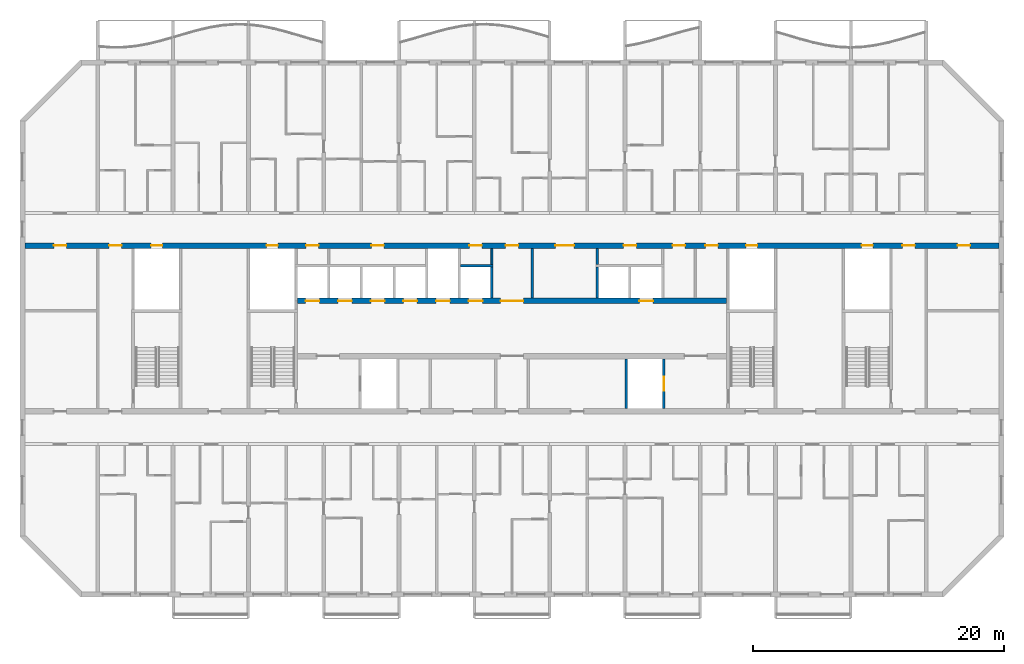
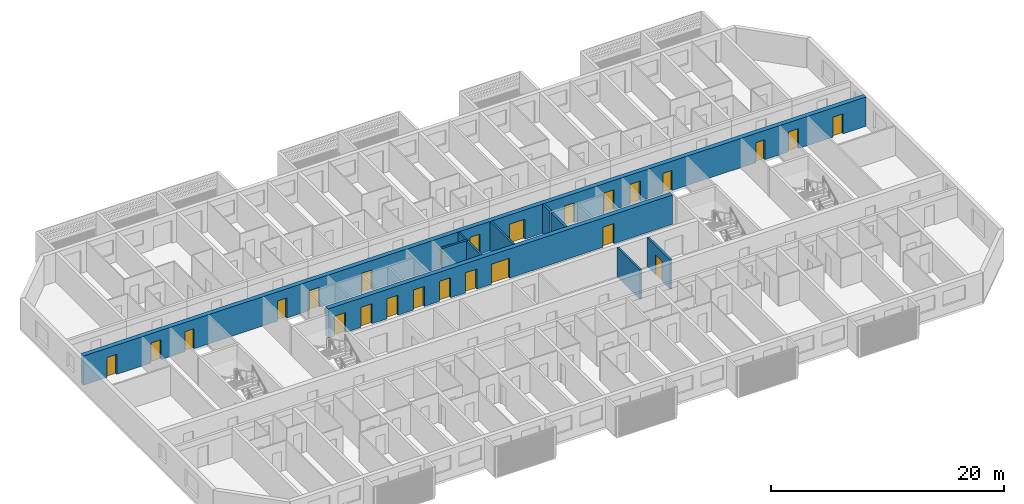
# One storey, part 7 of 32: 25 doors, 10 walls, 25 openings.
"""IFC4 building model written with IfcOpenShell, lengths in metres."""

from ifc_helpers import new_model, si_unit, direction, frame, frame_2d, origin, place, context, subcontext, project, spatial, rectangle, extrude, material, layer, layer_set, type_object, element, fill, save


model = new_model("IFC4")

# Units and contexts
model_context = context("Model", 3, precision=1e-05, world=origin(), true_north=direction((0.0, 1.0)))
body_context = subcontext(model_context, "Body", "Model", "MODEL_VIEW")
ifc_project = project(units=[si_unit("LENGTHUNIT", "METRE"), si_unit("AREAUNIT", "SQUARE_METRE"), si_unit("VOLUMEUNIT", "CUBIC_METRE"), si_unit("PLANEANGLEUNIT", "RADIAN"), si_unit("MASSUNIT", "GRAM", prefix="KILO")], contexts=[model_context])

# Site, building, storey
site_placement = place(None, origin())
site = spatial("IfcSite", under=ifc_project, at=site_placement, CompositionType="ELEMENT")
building_placement = place(site_placement, origin())
building = spatial("IfcBuilding", under=site, at=building_placement, Name="Poui Terraces", CompositionType="ELEMENT")
storey_placement = place(building_placement, frame((0.0, 0.0, 152.10009765625)))
storey = spatial("IfcBuildingStorey", under=building, at=storey_placement, Name="L42", CompositionType="ELEMENT", Elevation=152.10009765625)

# Wall, openings, doors
ifc_material_1 = material(Name="Concrete 65 MPa", Category="concrete")
ifc_layer_1 = layer(ifc_material_1, 0.449951171875)
ifc_layer_set_1 = layer_set([ifc_layer_1], Name="Concrete 65 MPa")
wall_type_1 = type_object("IfcWallType", Name="CORE WALL 450 65 MPA", PredefinedType="SOLIDWALL", material=ifc_layer_set_1)
wall_1_placement = place(storey_placement, frame((33.925048828125, 23.39990234375, 0.0), z_axis=(0.0, 0.0, 1.0), x_axis=(1.0, 0.0, 0.0)))
wall_1 = element("IfcWall", 1, at=wall_1_placement, inside=storey, type_object=wall_type_1, Name="CORE WALL", PredefinedType="SOLIDWALL", context=body_context, shape_type="SweptSolid", body=[
    extrude(rectangle(XDim=34.14990234375, YDim=0.449951171875, at=frame_2d((17.074951171875, 0.0))), origin(), (0.0, 0.0, 1.0), 3.06982421875),
])
opening_1_placement = place(wall_1_placement, frame((16.175048828125, 0.0, 0.0)))
opening_1 = element("IfcOpeningElement", 2, at=opening_1_placement, cuts=wall_1, Name="Opening FDD60", PredefinedType="OPENING", context=body_context, shape_type="SweptSolid", body=[
    extrude(rectangle(XDim=1.800048828125, YDim=2.10009765625, at=frame_2d((0.89990234375, 1.050048828125))), frame((0.0, 0.23486328125, 0.0), z_axis=(0.0, -1.0, 0.0), x_axis=(1.0, 0.0, 0.0)), (0.0, 0.0, 1.0), 0.469970703125),
])
opening_2_placement = place(wall_1_placement, frame((0.625, 0.0, 0.0)))
opening_2 = element("IfcOpeningElement", 3, at=opening_2_placement, cuts=wall_1, Name="Opening LD", PredefinedType="OPENING", context=body_context, shape_type="SweptSolid", body=[
    extrude(rectangle(XDim=1.10009765625, YDim=2.10009765625, at=frame_2d((0.550048828125, 1.050048828125))), frame((0.0, 0.23486328125, 0.0), z_axis=(0.0, -1.0, 0.0), x_axis=(1.0, 0.0, 0.0)), (0.0, 0.0, 1.0), 0.469970703125),
])
opening_3_placement = place(wall_1_placement, frame((3.22509765625, 0.0, 0.0)))
opening_3 = element("IfcOpeningElement", 4, at=opening_3_placement, cuts=wall_1, Name="Opening LD", PredefinedType="OPENING", context=body_context, shape_type="SweptSolid", body=[
    extrude(rectangle(XDim=1.10009765625, YDim=2.10009765625, at=frame_2d((0.550048828125, 1.050048828125))), frame((0.0, 0.23486328125, 0.0), z_axis=(0.0, -1.0, 0.0), x_axis=(1.0, 0.0, 0.0)), (0.0, 0.0, 1.0), 0.469970703125),
])
opening_4_placement = place(wall_1_placement, frame((5.824951171875, 0.0, 0.0)))
opening_4 = element("IfcOpeningElement", 5, at=opening_4_placement, cuts=wall_1, Name="Opening LD", PredefinedType="OPENING", context=body_context, shape_type="SweptSolid", body=[
    extrude(rectangle(XDim=1.10009765625, YDim=2.10009765625, at=frame_2d((0.550048828125, 1.050048828125))), frame((0.0, 0.23486328125, 0.0), z_axis=(0.0, -1.0, 0.0), x_axis=(1.0, 0.0, 0.0)), (0.0, 0.0, 1.0), 0.469970703125),
])
opening_5_placement = place(wall_1_placement, frame((8.425048828125, 0.0, 0.0)))
opening_5 = element("IfcOpeningElement", 6, at=opening_5_placement, cuts=wall_1, Name="Opening LD", PredefinedType="OPENING", context=body_context, shape_type="SweptSolid", body=[
    extrude(rectangle(XDim=1.10009765625, YDim=2.10009765625, at=frame_2d((0.550048828125, 1.050048828125))), frame((0.0, 0.23486328125, 0.0), z_axis=(0.0, -1.0, 0.0), x_axis=(1.0, 0.0, 0.0)), (0.0, 0.0, 1.0), 0.469970703125),
])
opening_6_placement = place(wall_1_placement, frame((11.02490234375, 0.0, 0.0)))
opening_6 = element("IfcOpeningElement", 7, at=opening_6_placement, cuts=wall_1, Name="Opening LD", PredefinedType="OPENING", context=body_context, shape_type="SweptSolid", body=[
    extrude(rectangle(XDim=1.10009765625, YDim=2.10009765625, at=frame_2d((0.550048828125, 1.050048828125))), frame((0.0, 0.23486328125, 0.0), z_axis=(0.0, -1.0, 0.0), x_axis=(1.0, 0.0, 0.0)), (0.0, 0.0, 1.0), 0.469970703125),
])
opening_7_placement = place(wall_1_placement, frame((13.625, 0.0, 0.0)))
opening_7 = element("IfcOpeningElement", 8, at=opening_7_placement, cuts=wall_1, Name="Opening LD", PredefinedType="OPENING", context=body_context, shape_type="SweptSolid", body=[
    extrude(rectangle(XDim=1.10009765625, YDim=2.10009765625, at=frame_2d((0.550048828125, 1.050048828125))), frame((0.0, 0.23486328125, 0.0), z_axis=(0.0, -1.0, 0.0), x_axis=(1.0, 0.0, 0.0)), (0.0, 0.0, 1.0), 0.469970703125),
])
opening_8_placement = place(wall_1_placement, frame((27.22509765625, 0.0, 0.0)))
opening_8 = element("IfcOpeningElement", 9, at=opening_8_placement, cuts=wall_1, Name="Opening LD", PredefinedType="OPENING", context=body_context, shape_type="SweptSolid", body=[
    extrude(rectangle(XDim=1.10009765625, YDim=2.10009765625, at=frame_2d((0.550048828125, 1.050048828125))), frame((0.0, 0.23486328125, 0.0), z_axis=(0.0, -1.0, 0.0), x_axis=(1.0, 0.0, 0.0)), (0.0, 0.0, 1.0), 0.469970703125),
])
ifc_material_2 = material(Name="Steel fire door", Category="steel")
door_type_1 = type_object("IfcDoorType", Name="DOUBLE LOBBY FIRE DOOR 1800 X 2100", OperationType="DOUBLE_DOOR_SINGLE_SWING", PredefinedType="DOOR", material=ifc_material_2)
door_1_placement = place(opening_1_placement, origin())
door_1 = element("IfcDoor", 10, at=door_1_placement, inside=storey, type_object=door_type_1, Name="DOUBLE LOBBY FIRE DOOR 123", OperationType="DOUBLE_DOOR_SINGLE_SWING", OverallHeight=2.10009765625, OverallWidth=1.800048828125, PredefinedType="DOOR", context=body_context, shape_type="SweptSolid", body=[
    extrude(rectangle(XDim=1.800048828125, YDim=2.10009765625, at=frame_2d((0.89990234375, 1.050048828125))), frame((0.0, 0.02490234375, 0.0), z_axis=(0.0, -1.0, 0.0), x_axis=(1.0, 0.0, 0.0)), (0.0, 0.0, 1.0), 0.050048828125),
])
fill(opening_1, door_1)
ifc_material_3 = material(Name="Stainless steel sliding door", Category="steel")
door_type_2 = type_object("IfcDoorType", Name="LIFT LANDING DOOR 1100 X 2100", OperationType="DOUBLE_DOOR_SLIDING", PredefinedType="DOOR", material=ifc_material_3)
door_2_placement = place(opening_2_placement, origin())
door_2 = element("IfcDoor", 11, at=door_2_placement, inside=storey, type_object=door_type_2, Name="LANDING DOOR", OperationType="DOUBLE_DOOR_SLIDING", OverallHeight=2.10009765625, OverallWidth=1.10009765625, PredefinedType="DOOR", context=body_context, shape_type="SweptSolid", body=[
    extrude(rectangle(XDim=1.10009765625, YDim=2.10009765625, at=frame_2d((0.550048828125, 1.050048828125))), frame((0.0, 0.02490234375, 0.0), z_axis=(0.0, -1.0, 0.0), x_axis=(1.0, 0.0, 0.0)), (0.0, 0.0, 1.0), 0.050048828125),
])
fill(opening_2, door_2)
door_3_placement = place(opening_3_placement, origin())
door_3 = element("IfcDoor", 12, at=door_3_placement, inside=storey, type_object=door_type_2, Name="LANDING DOOR", OperationType="DOUBLE_DOOR_SLIDING", OverallHeight=2.10009765625, OverallWidth=1.10009765625, PredefinedType="DOOR", context=body_context, shape_type="SweptSolid", body=[
    extrude(rectangle(XDim=1.10009765625, YDim=2.10009765625, at=frame_2d((0.550048828125, 1.050048828125))), frame((0.0, 0.02490234375, 0.0), z_axis=(0.0, -1.0, 0.0), x_axis=(1.0, 0.0, 0.0)), (0.0, 0.0, 1.0), 0.050048828125),
])
fill(opening_3, door_3)
door_4_placement = place(opening_4_placement, origin())
door_4 = element("IfcDoor", 13, at=door_4_placement, inside=storey, type_object=door_type_2, Name="LANDING DOOR", OperationType="DOUBLE_DOOR_SLIDING", OverallHeight=2.10009765625, OverallWidth=1.10009765625, PredefinedType="DOOR", context=body_context, shape_type="SweptSolid", body=[
    extrude(rectangle(XDim=1.10009765625, YDim=2.10009765625, at=frame_2d((0.550048828125, 1.050048828125))), frame((0.0, 0.02490234375, 0.0), z_axis=(0.0, -1.0, 0.0), x_axis=(1.0, 0.0, 0.0)), (0.0, 0.0, 1.0), 0.050048828125),
])
fill(opening_4, door_4)
door_5_placement = place(opening_5_placement, origin())
door_5 = element("IfcDoor", 14, at=door_5_placement, inside=storey, type_object=door_type_2, Name="LANDING DOOR", OperationType="DOUBLE_DOOR_SLIDING", OverallHeight=2.10009765625, OverallWidth=1.10009765625, PredefinedType="DOOR", context=body_context, shape_type="SweptSolid", body=[
    extrude(rectangle(XDim=1.10009765625, YDim=2.10009765625, at=frame_2d((0.550048828125, 1.050048828125))), frame((0.0, 0.02490234375, 0.0), z_axis=(0.0, -1.0, 0.0), x_axis=(1.0, 0.0, 0.0)), (0.0, 0.0, 1.0), 0.050048828125),
])
fill(opening_5, door_5)
door_6_placement = place(opening_6_placement, origin())
door_6 = element("IfcDoor", 15, at=door_6_placement, inside=storey, type_object=door_type_2, Name="LANDING DOOR", OperationType="DOUBLE_DOOR_SLIDING", OverallHeight=2.10009765625, OverallWidth=1.10009765625, PredefinedType="DOOR", context=body_context, shape_type="SweptSolid", body=[
    extrude(rectangle(XDim=1.10009765625, YDim=2.10009765625, at=frame_2d((0.550048828125, 1.050048828125))), frame((0.0, 0.02490234375, 0.0), z_axis=(0.0, -1.0, 0.0), x_axis=(1.0, 0.0, 0.0)), (0.0, 0.0, 1.0), 0.050048828125),
])
fill(opening_6, door_6)
door_7_placement = place(opening_7_placement, origin())
door_7 = element("IfcDoor", 16, at=door_7_placement, inside=storey, type_object=door_type_2, Name="LANDING DOOR", OperationType="DOUBLE_DOOR_SLIDING", OverallHeight=2.10009765625, OverallWidth=1.10009765625, PredefinedType="DOOR", context=body_context, shape_type="SweptSolid", body=[
    extrude(rectangle(XDim=1.10009765625, YDim=2.10009765625, at=frame_2d((0.550048828125, 1.050048828125))), frame((0.0, 0.02490234375, 0.0), z_axis=(0.0, -1.0, 0.0), x_axis=(1.0, 0.0, 0.0)), (0.0, 0.0, 1.0), 0.050048828125),
])
fill(opening_7, door_7)
door_8_placement = place(opening_8_placement, origin())
door_8 = element("IfcDoor", 17, at=door_8_placement, inside=storey, type_object=door_type_2, Name="LANDING DOOR", OperationType="DOUBLE_DOOR_SLIDING", OverallHeight=2.10009765625, OverallWidth=1.10009765625, PredefinedType="DOOR", context=body_context, shape_type="SweptSolid", body=[
    extrude(rectangle(XDim=1.10009765625, YDim=2.10009765625, at=frame_2d((0.550048828125, 1.050048828125))), frame((0.0, 0.02490234375, 0.0), z_axis=(0.0, -1.0, 0.0), x_axis=(1.0, 0.0, 0.0)), (0.0, 0.0, 1.0), 0.050048828125),
])
fill(opening_8, door_8)

# Walls
ifc_material_4 = material(Name="Fire-rated plasterboard wall")
ifc_layer_2 = layer(ifc_material_4, 0.14990234375)
ifc_layer_set_2 = layer_set([ifc_layer_2], Name="Fire-rated plasterboard wall")
wall_type_2 = type_object("IfcWallType", Name="CORRIDOR WALL 150", PredefinedType="PARTITIONING", material=ifc_layer_set_2)
wall_2_placement = place(storey_placement, frame((49.39990234375, 26.300048828125, 0.0), z_axis=(0.0, 0.0, 1.0), x_axis=(0.0, 1.0, 0.0)))
element("IfcWall", 18, at=wall_2_placement, inside=storey, type_object=wall_type_2, Name="CORRIDOR WALL 150", PredefinedType="PARTITIONING", context=body_context, shape_type="SweptSolid", body=[
    extrude(rectangle(XDim=1.264892578125, YDim=0.14990234375, at=frame_2d((0.63232421875, 0.0))), origin(), (0.0, 0.0, 1.0), 3.06982421875),
])
ifc_material_5 = material(Name="Fire-rated masonry wall", Category="masonry")
ifc_layer_3 = layer(ifc_material_5, 0.199951171875)
ifc_layer_set_3 = layer_set([ifc_layer_3], Name="Fire-rated masonry wall")
wall_type_3 = type_object("IfcWallType", Name="PLANT ROOM WALL 200", PredefinedType="PARTITIONING", material=ifc_layer_set_3)
wall_3_placement = place(storey_placement, frame((52.60009765625, 23.635009765625, 0.0), z_axis=(0.0, 0.0, 1.0), x_axis=(0.0, 1.0, 0.0)))
element("IfcWall", 19, at=wall_3_placement, inside=storey, type_object=wall_type_3, Name="PLANT ROOM WALL 200", PredefinedType="PARTITIONING", context=body_context, shape_type="SweptSolid", body=[
    extrude(rectangle(XDim=3.929931640625, YDim=0.199951171875, at=frame_2d((1.96484375, 0.0))), origin(), (0.0, 0.0, 1.0), 3.06982421875),
])
wall_4_placement = place(storey_placement, frame((57.800048828125, 26.300048828125, 0.0), z_axis=(0.0, 0.0, 1.0), x_axis=(0.0, 1.0, 0.0)))
element("IfcWall", 20, at=wall_4_placement, inside=storey, type_object=wall_type_3, Name="PLANT ROOM WALL 200", PredefinedType="PARTITIONING", context=body_context, shape_type="SweptSolid", body=[
    extrude(rectangle(XDim=1.264892578125, YDim=0.199951171875, at=frame_2d((0.63232421875, 0.0))), origin(), (0.0, 0.0, 1.0), 3.06982421875),
])
ifc_material_6 = material(Name="Fire-rated masonry shaft wall", Category="masonry")
ifc_layer_4 = layer(ifc_material_6, 0.199951171875)
ifc_layer_set_4 = layer_set([ifc_layer_4], Name="Fire-rated masonry shaft wall")
wall_type_4 = type_object("IfcWallType", Name="SHAFT WALL 200", PredefinedType="PARTITIONING", material=ifc_layer_set_4)
wall_5_placement = place(storey_placement, frame((46.89990234375, 26.199951171875, 0.0), z_axis=(0.0, 0.0, 1.0), x_axis=(1.0, 0.0, 0.0)))
element("IfcWall", 21, at=wall_5_placement, inside=storey, type_object=wall_type_4, Name="SHAFT WALL 200", PredefinedType="PARTITIONING", context=body_context, shape_type="SweptSolid", body=[
    extrude(rectangle(XDim=2.60009765625, YDim=0.199951171875, at=frame_2d((1.300048828125, 0.0))), origin(), (0.0, 0.0, 1.0), 3.06982421875),
])
for number, where, z_axis, x_axis, name in (
    (22, (49.39990234375, 23.635009765625, 0.0), (0.0, 0.0, 1.0), (0.0, 1.0, 0.0), "SHAFT WALL 200"),
    (23, (57.800048828125, 23.635009765625, 0.0), (0.0, 0.0, 1.0), (0.0, 1.0, 0.0), "SHAFT WALL 200"),
):
    element("IfcWall", number, at=place(storey_placement, frame(where, z_axis=z_axis, x_axis=x_axis)), inside=storey, type_object=wall_type_4, Name=name, PredefinedType="PARTITIONING", context=body_context, shape_type="SweptSolid", body=[
        extrude(rectangle(XDim=2.465087890625, YDim=0.199951171875, at=frame_2d((1.232421875, 0.0))), origin(), (0.0, 0.0, 1.0), 3.06982421875),
    ])
wall_6_placement = place(storey_placement, frame((60.10009765625, 14.8349609375, 0.0), z_axis=(0.0, 0.0, 1.0), x_axis=(0.0, 1.0, 0.0)))
element("IfcWall", 24, at=wall_6_placement, inside=storey, type_object=wall_type_4, Name="SHAFT WALL 200", PredefinedType="PARTITIONING", context=body_context, shape_type="SweptSolid", body=[
    extrude(rectangle(XDim=3.929931640625, YDim=0.199951171875, at=frame_2d((1.96484375, 0.0))), origin(), (0.0, 0.0, 1.0), 3.06982421875),
])

# Wall, opening, door
wall_7_placement = place(storey_placement, frame((63.10009765625, 14.8349609375, 0.0), z_axis=(0.0, 0.0, 1.0), x_axis=(0.0, 1.0, 0.0)))
wall_7 = element("IfcWall", 25, at=wall_7_placement, inside=storey, type_object=wall_type_4, Name="SHAFT WALL 200", PredefinedType="PARTITIONING", context=body_context, shape_type="SweptSolid", body=[
    extrude(rectangle(XDim=3.929931640625, YDim=0.199951171875, at=frame_2d((1.96484375, 0.0))), origin(), (0.0, 0.0, 1.0), 3.06982421875),
])
opening_9_placement = place(wall_7_placement, frame((1.4150390625, 0.0, 0.0)))
opening_9 = element("IfcOpeningElement", 26, at=opening_9_placement, cuts=wall_7, Name="Opening LD", PredefinedType="OPENING", context=body_context, shape_type="SweptSolid", body=[
    extrude(rectangle(XDim=1.10009765625, YDim=2.10009765625, at=frame_2d((0.550048828125, 1.050048828125))), frame((0.0, 0.10986328125, 0.0), z_axis=(0.0, -1.0, 0.0), x_axis=(1.0, 0.0, 0.0)), (0.0, 0.0, 1.0), 0.219970703125),
])
door_9_placement = place(opening_9_placement, origin())
door_9 = element("IfcDoor", 27, at=door_9_placement, inside=storey, type_object=door_type_2, Name="LANDING DOOR", OperationType="DOUBLE_DOOR_SLIDING", OverallHeight=2.10009765625, OverallWidth=1.10009765625, PredefinedType="DOOR", context=body_context, shape_type="SweptSolid", body=[
    extrude(rectangle(XDim=1.10009765625, YDim=2.10009765625, at=frame_2d((0.550048828125, 1.050048828125))), frame((0.0, 0.02490234375, 0.0), z_axis=(0.0, -1.0, 0.0), x_axis=(1.0, 0.0, 0.0)), (0.0, 0.0, 1.0), 0.050048828125),
])
fill(opening_9, door_9)

# Wall, openings, doors
ifc_layer_5 = layer(ifc_material_1, 0.449951171875)
ifc_layer_set_5 = layer_set([ifc_layer_5], Name="Concrete 65 MPa")
wall_type_5 = type_object("IfcWallType", Name="SPINE WALL 450 65 MPA", PredefinedType="SOLIDWALL", material=ifc_layer_set_5)
wall_8_placement = place(storey_placement, frame((12.199951171875, 27.800048828125, 0.0), z_axis=(0.0, 0.0, 1.0), x_axis=(1.0, 0.0, 0.0)))
wall_8 = element("IfcWall", 28, at=wall_8_placement, inside=storey, type_object=wall_type_5, Name="SPINE WALL", PredefinedType="SOLIDWALL", context=body_context, shape_type="SweptSolid", body=[
    extrude(rectangle(XDim=77.60009765625, YDim=0.449951171875, at=frame_2d((38.800048828125, 0.0))), origin(), (0.0, 0.0, 1.0), 3.06982421875),
])
opening_10_placement = place(wall_8_placement, frame((2.300048828125, 0.0, 0.0)))
opening_10 = element("IfcOpeningElement", 29, at=opening_10_placement, cuts=wall_8, Name="Opening FD60", PredefinedType="OPENING", context=body_context, shape_type="SweptSolid", body=[
    extrude(rectangle(XDim=1.0, YDim=2.10009765625, at=frame_2d((0.5, 1.050048828125))), frame((0.0, 0.23486328125, 0.0), z_axis=(0.0, -1.0, 0.0), x_axis=(1.0, 0.0, 0.0)), (0.0, 0.0, 1.0), 0.469970703125),
])
opening_11_placement = place(wall_8_placement, frame((6.699951171875, 0.0, 0.0)))
opening_11 = element("IfcOpeningElement", 30, at=opening_11_placement, cuts=wall_8, Name="Opening FDL", PredefinedType="OPENING", context=body_context, shape_type="SweptSolid", body=[
    extrude(rectangle(XDim=1.0, YDim=2.10009765625, at=frame_2d((0.5, 1.050048828125))), frame((0.0, 0.23486328125, 0.0), z_axis=(0.0, -1.0, 0.0), x_axis=(1.0, 0.0, 0.0)), (0.0, 0.0, 1.0), 0.469970703125),
])
opening_12_placement = place(wall_8_placement, frame((10.050048828125, 0.0, 0.0)))
opening_12 = element("IfcOpeningElement", 31, at=opening_12_placement, cuts=wall_8, Name="Opening FDR", PredefinedType="OPENING", context=body_context, shape_type="SweptSolid", body=[
    extrude(rectangle(XDim=0.89990234375, YDim=2.10009765625, at=frame_2d((0.449951171875, 1.050048828125))), frame((0.0, 0.23486328125, 0.0), z_axis=(0.0, -1.0, 0.0), x_axis=(1.0, 0.0, 0.0)), (0.0, 0.0, 1.0), 0.469970703125),
])
opening_13_placement = place(wall_8_placement, frame((19.25, 0.0, 0.0)))
opening_13 = element("IfcOpeningElement", 32, at=opening_13_placement, cuts=wall_8, Name="Opening FDR", PredefinedType="OPENING", context=body_context, shape_type="SweptSolid", body=[
    extrude(rectangle(XDim=0.89990234375, YDim=2.10009765625, at=frame_2d((0.449951171875, 1.050048828125))), frame((0.0, 0.23486328125, 0.0), z_axis=(0.0, -1.0, 0.0), x_axis=(1.0, 0.0, 0.0)), (0.0, 0.0, 1.0), 0.469970703125),
])
opening_14_placement = place(wall_8_placement, frame((22.39990234375, 0.0, 0.0)))
opening_14 = element("IfcOpeningElement", 33, at=opening_14_placement, cuts=wall_8, Name="Opening FD60", PredefinedType="OPENING", context=body_context, shape_type="SweptSolid", body=[
    extrude(rectangle(XDim=1.0, YDim=2.10009765625, at=frame_2d((0.5, 1.050048828125))), frame((0.0, 0.23486328125, 0.0), z_axis=(0.0, -1.0, 0.0), x_axis=(1.0, 0.0, 0.0)), (0.0, 0.0, 1.0), 0.469970703125),
])
opening_15_placement = place(wall_8_placement, frame((27.60009765625, 0.0, 0.0)))
opening_15 = element("IfcOpeningElement", 34, at=opening_15_placement, cuts=wall_8, Name="Opening FD60", PredefinedType="OPENING", context=body_context, shape_type="SweptSolid", body=[
    extrude(rectangle(XDim=1.0, YDim=2.10009765625, at=frame_2d((0.5, 1.050048828125))), frame((0.0, 0.23486328125, 0.0), z_axis=(0.0, -1.0, 0.0), x_axis=(1.0, 0.0, 0.0)), (0.0, 0.0, 1.0), 0.469970703125),
])
opening_16_placement = place(wall_8_placement, frame((35.39990234375, 0.0, 0.0)))
opening_16 = element("IfcOpeningElement", 35, at=opening_16_placement, cuts=wall_8, Name="Opening FD60", PredefinedType="OPENING", context=body_context, shape_type="SweptSolid", body=[
    extrude(rectangle(XDim=1.0, YDim=2.10009765625, at=frame_2d((0.5, 1.050048828125))), frame((0.0, 0.23486328125, 0.0), z_axis=(0.0, -1.0, 0.0), x_axis=(1.0, 0.0, 0.0)), (0.0, 0.0, 1.0), 0.469970703125),
])
opening_17_placement = place(wall_8_placement, frame((38.300048828125, 0.0, 0.0)))
opening_17 = element("IfcOpeningElement", 36, at=opening_17_placement, cuts=wall_8, Name="Opening FDL", PredefinedType="OPENING", context=body_context, shape_type="SweptSolid", body=[
    extrude(rectangle(XDim=1.0, YDim=2.10009765625, at=frame_2d((0.5, 1.050048828125))), frame((0.0, 0.23486328125, 0.0), z_axis=(0.0, -1.0, 0.0), x_axis=(1.0, 0.0, 0.0)), (0.0, 0.0, 1.0), 0.469970703125),
])
opening_18_placement = place(wall_8_placement, frame((42.25, 0.0, 0.0)))
opening_18 = element("IfcOpeningElement", 37, at=opening_18_placement, cuts=wall_8, Name="Opening FDP", PredefinedType="OPENING", context=body_context, shape_type="SweptSolid", body=[
    extrude(rectangle(XDim=1.5, YDim=2.10009765625, at=frame_2d((0.75, 1.050048828125))), frame((0.0, 0.23486328125, 0.0), z_axis=(0.0, -1.0, 0.0), x_axis=(1.0, 0.0, 0.0)), (0.0, 0.0, 1.0), 0.469970703125),
])
opening_19_placement = place(wall_8_placement, frame((47.699951171875, 0.0, 0.0)))
opening_19 = element("IfcOpeningElement", 38, at=opening_19_placement, cuts=wall_8, Name="Opening FD60", PredefinedType="OPENING", context=body_context, shape_type="SweptSolid", body=[
    extrude(rectangle(XDim=1.0, YDim=2.10009765625, at=frame_2d((0.5, 1.050048828125))), frame((0.0, 0.23486328125, 0.0), z_axis=(0.0, -1.0, 0.0), x_axis=(1.0, 0.0, 0.0)), (0.0, 0.0, 1.0), 0.469970703125),
])
opening_20_placement = place(wall_8_placement, frame((51.60009765625, 0.0, 0.0)))
opening_20 = element("IfcOpeningElement", 39, at=opening_20_placement, cuts=wall_8, Name="Opening FD60", PredefinedType="OPENING", context=body_context, shape_type="SweptSolid", body=[
    extrude(rectangle(XDim=1.0, YDim=2.10009765625, at=frame_2d((0.5, 1.050048828125))), frame((0.0, 0.23486328125, 0.0), z_axis=(0.0, -1.0, 0.0), x_axis=(1.0, 0.0, 0.0)), (0.0, 0.0, 1.0), 0.469970703125),
])
opening_21_placement = place(wall_8_placement, frame((54.199951171875, 0.0, 0.0)))
opening_21 = element("IfcOpeningElement", 40, at=opening_21_placement, cuts=wall_8, Name="Opening FD60", PredefinedType="OPENING", context=body_context, shape_type="SweptSolid", body=[
    extrude(rectangle(XDim=1.0, YDim=2.10009765625, at=frame_2d((0.5, 1.050048828125))), frame((0.0, 0.23486328125, 0.0), z_axis=(0.0, -1.0, 0.0), x_axis=(1.0, 0.0, 0.0)), (0.0, 0.0, 1.0), 0.469970703125),
])
opening_22_placement = place(wall_8_placement, frame((57.449951171875, 0.0, 0.0)))
opening_22 = element("IfcOpeningElement", 41, at=opening_22_placement, cuts=wall_8, Name="Opening FDR", PredefinedType="OPENING", context=body_context, shape_type="SweptSolid", body=[
    extrude(rectangle(XDim=0.89990234375, YDim=2.10009765625, at=frame_2d((0.449951171875, 1.050048828125))), frame((0.0, 0.23486328125, 0.0), z_axis=(0.0, -1.0, 0.0), x_axis=(1.0, 0.0, 0.0)), (0.0, 0.0, 1.0), 0.469970703125),
])
opening_23_placement = place(wall_8_placement, frame((66.64990234375, 0.0, 0.0)))
opening_23 = element("IfcOpeningElement", 42, at=opening_23_placement, cuts=wall_8, Name="Opening FDR", PredefinedType="OPENING", context=body_context, shape_type="SweptSolid", body=[
    extrude(rectangle(XDim=0.89990234375, YDim=2.10009765625, at=frame_2d((0.449951171875, 1.050048828125))), frame((0.0, 0.23486328125, 0.0), z_axis=(0.0, -1.0, 0.0), x_axis=(1.0, 0.0, 0.0)), (0.0, 0.0, 1.0), 0.469970703125),
])
opening_24_placement = place(wall_8_placement, frame((69.89990234375, 0.0, 0.0)))
opening_24 = element("IfcOpeningElement", 43, at=opening_24_placement, cuts=wall_8, Name="Opening FDL", PredefinedType="OPENING", context=body_context, shape_type="SweptSolid", body=[
    extrude(rectangle(XDim=1.0, YDim=2.10009765625, at=frame_2d((0.5, 1.050048828125))), frame((0.0, 0.23486328125, 0.0), z_axis=(0.0, -1.0, 0.0), x_axis=(1.0, 0.0, 0.0)), (0.0, 0.0, 1.0), 0.469970703125),
])
opening_25_placement = place(wall_8_placement, frame((74.300048828125, 0.0, 0.0)))
opening_25 = element("IfcOpeningElement", 44, at=opening_25_placement, cuts=wall_8, Name="Opening D100", PredefinedType="OPENING", context=body_context, shape_type="SweptSolid", body=[
    extrude(rectangle(XDim=1.0, YDim=2.10009765625, at=frame_2d((0.5, 1.050048828125))), frame((0.0, 0.23486328125, 0.0), z_axis=(0.0, -1.0, 0.0), x_axis=(1.0, 0.0, 0.0)), (0.0, 0.0, 1.0), 0.469970703125),
])
ifc_material_7 = material(Name="Solid core timber door", Category="wood")
door_type_3 = type_object("IfcDoorType", Name="ACCESSIBLE INTERNAL DOOR 1000 X 2100", OperationType="NOTDEFINED", PredefinedType="DOOR", material=ifc_material_7)
door_10_placement = place(opening_25_placement, origin())
door_10 = element("IfcDoor", 45, at=door_10_placement, inside=storey, type_object=door_type_3, Name="ACCESSIBLE INTERNAL DOOR 016", OperationType="SINGLE_SWING_RIGHT", OverallHeight=2.10009765625, OverallWidth=1.0, PredefinedType="DOOR", context=body_context, shape_type="SweptSolid", body=[
    extrude(rectangle(XDim=1.0, YDim=2.10009765625, at=frame_2d((0.5, 1.050048828125))), frame((0.0, 0.02490234375, 0.0), z_axis=(0.0, -1.0, 0.0), x_axis=(1.0, 0.0, 0.0)), (0.0, 0.0, 1.0), 0.050048828125),
])
fill(opening_25, door_10)
door_type_4 = type_object("IfcDoorType", Name="LOBBY FIRE DOOR 1000 X 2100", OperationType="NOTDEFINED", PredefinedType="DOOR", material=ifc_material_2)
door_11_placement = place(opening_11_placement, origin())
door_11 = element("IfcDoor", 46, at=door_11_placement, inside=storey, type_object=door_type_4, Name="LOBBY FIRE DOOR 002", OperationType="SINGLE_SWING_LEFT", OverallHeight=2.10009765625, OverallWidth=1.0, PredefinedType="DOOR", context=body_context, shape_type="SweptSolid", body=[
    extrude(rectangle(XDim=1.0, YDim=2.10009765625, at=frame_2d((0.5, 1.050048828125))), frame((0.0, 0.02490234375, 0.0), z_axis=(0.0, -1.0, 0.0), x_axis=(1.0, 0.0, 0.0)), (0.0, 0.0, 1.0), 0.050048828125),
])
fill(opening_11, door_11)
door_12_placement = place(opening_17_placement, origin())
door_12 = element("IfcDoor", 47, at=door_12_placement, inside=storey, type_object=door_type_4, Name="LOBBY FIRE DOOR 008", OperationType="SINGLE_SWING_RIGHT", OverallHeight=2.10009765625, OverallWidth=1.0, PredefinedType="DOOR", context=body_context, shape_type="SweptSolid", body=[
    extrude(rectangle(XDim=1.0, YDim=2.10009765625, at=frame_2d((0.5, 1.050048828125))), frame((0.0, 0.02490234375, 0.0), z_axis=(0.0, -1.0, 0.0), x_axis=(1.0, 0.0, 0.0)), (0.0, 0.0, 1.0), 0.050048828125),
])
fill(opening_17, door_12)
door_13_placement = place(opening_24_placement, origin())
door_13 = element("IfcDoor", 48, at=door_13_placement, inside=storey, type_object=door_type_4, Name="LOBBY FIRE DOOR 015", OperationType="SINGLE_SWING_RIGHT", OverallHeight=2.10009765625, OverallWidth=1.0, PredefinedType="DOOR", context=body_context, shape_type="SweptSolid", body=[
    extrude(rectangle(XDim=1.0, YDim=2.10009765625, at=frame_2d((0.5, 1.050048828125))), frame((0.0, 0.02490234375, 0.0), z_axis=(0.0, -1.0, 0.0), x_axis=(1.0, 0.0, 0.0)), (0.0, 0.0, 1.0), 0.050048828125),
])
fill(opening_24, door_13)
door_type_5 = type_object("IfcDoorType", Name="PLANT ROOM DOOR PAIR 1500 X 2100", OperationType="DOUBLE_DOOR_SINGLE_SWING", PredefinedType="DOOR", material=ifc_material_2)
door_14_placement = place(opening_18_placement, origin())
door_14 = element("IfcDoor", 49, at=door_14_placement, inside=storey, type_object=door_type_5, Name="PLANT ROOM DOOR PAIR 009", OperationType="DOUBLE_DOOR_SINGLE_SWING", OverallHeight=2.10009765625, OverallWidth=1.5, PredefinedType="DOOR", context=body_context, shape_type="SweptSolid", body=[
    extrude(rectangle(XDim=1.5, YDim=2.10009765625, at=frame_2d((0.75, 1.050048828125))), frame((0.0, 0.02490234375, 0.0), z_axis=(0.0, -1.0, 0.0), x_axis=(1.0, 0.0, 0.0)), (0.0, 0.0, 1.0), 0.050048828125),
])
fill(opening_18, door_14)
door_type_6 = type_object("IfcDoorType", Name="RISER CUPBOARD DOOR 900 X 2100", OperationType="NOTDEFINED", PredefinedType="DOOR", material=ifc_material_2)
door_15_placement = place(opening_12_placement, origin())
door_15 = element("IfcDoor", 50, at=door_15_placement, inside=storey, type_object=door_type_6, Name="RISER CUPBOARD DOOR 003", OperationType="SINGLE_SWING_LEFT", OverallHeight=2.10009765625, OverallWidth=0.89990234375, PredefinedType="DOOR", context=body_context, shape_type="SweptSolid", body=[
    extrude(rectangle(XDim=0.89990234375, YDim=2.10009765625, at=frame_2d((0.449951171875, 1.050048828125))), frame((0.0, 0.02490234375, 0.0), z_axis=(0.0, -1.0, 0.0), x_axis=(1.0, 0.0, 0.0)), (0.0, 0.0, 1.0), 0.050048828125),
])
fill(opening_12, door_15)
door_16_placement = place(opening_13_placement, origin())
door_16 = element("IfcDoor", 51, at=door_16_placement, inside=storey, type_object=door_type_6, Name="RISER CUPBOARD DOOR 004", OperationType="SINGLE_SWING_LEFT", OverallHeight=2.10009765625, OverallWidth=0.89990234375, PredefinedType="DOOR", context=body_context, shape_type="SweptSolid", body=[
    extrude(rectangle(XDim=0.89990234375, YDim=2.10009765625, at=frame_2d((0.449951171875, 1.050048828125))), frame((0.0, 0.02490234375, 0.0), z_axis=(0.0, -1.0, 0.0), x_axis=(1.0, 0.0, 0.0)), (0.0, 0.0, 1.0), 0.050048828125),
])
fill(opening_13, door_16)
door_17_placement = place(opening_22_placement, origin())
door_17 = element("IfcDoor", 52, at=door_17_placement, inside=storey, type_object=door_type_6, Name="RISER CUPBOARD DOOR 013", OperationType="SINGLE_SWING_RIGHT", OverallHeight=2.10009765625, OverallWidth=0.89990234375, PredefinedType="DOOR", context=body_context, shape_type="SweptSolid", body=[
    extrude(rectangle(XDim=0.89990234375, YDim=2.10009765625, at=frame_2d((0.449951171875, 1.050048828125))), frame((0.0, 0.02490234375, 0.0), z_axis=(0.0, -1.0, 0.0), x_axis=(1.0, 0.0, 0.0)), (0.0, 0.0, 1.0), 0.050048828125),
])
fill(opening_22, door_17)
door_18_placement = place(opening_23_placement, origin())
door_18 = element("IfcDoor", 53, at=door_18_placement, inside=storey, type_object=door_type_6, Name="RISER CUPBOARD DOOR 014", OperationType="SINGLE_SWING_RIGHT", OverallHeight=2.10009765625, OverallWidth=0.89990234375, PredefinedType="DOOR", context=body_context, shape_type="SweptSolid", body=[
    extrude(rectangle(XDim=0.89990234375, YDim=2.10009765625, at=frame_2d((0.449951171875, 1.050048828125))), frame((0.0, 0.02490234375, 0.0), z_axis=(0.0, -1.0, 0.0), x_axis=(1.0, 0.0, 0.0)), (0.0, 0.0, 1.0), 0.050048828125),
])
fill(opening_23, door_18)
door_type_7 = type_object("IfcDoorType", Name="SERVICE ROOM FIRE DOOR 1000 X 2100", OperationType="NOTDEFINED", PredefinedType="DOOR", material=ifc_material_2)
door_19_placement = place(opening_10_placement, origin())
door_19 = element("IfcDoor", 54, at=door_19_placement, inside=storey, type_object=door_type_7, Name="SERVICE ROOM FIRE DOOR 001", OperationType="SINGLE_SWING_RIGHT", OverallHeight=2.10009765625, OverallWidth=1.0, PredefinedType="DOOR", context=body_context, shape_type="SweptSolid", body=[
    extrude(rectangle(XDim=1.0, YDim=2.10009765625, at=frame_2d((0.5, 1.050048828125))), frame((0.0, 0.02490234375, 0.0), z_axis=(0.0, -1.0, 0.0), x_axis=(1.0, 0.0, 0.0)), (0.0, 0.0, 1.0), 0.050048828125),
])
fill(opening_10, door_19)
door_20_placement = place(opening_14_placement, origin())
door_20 = element("IfcDoor", 55, at=door_20_placement, inside=storey, type_object=door_type_7, Name="SERVICE ROOM FIRE DOOR 005", OperationType="SINGLE_SWING_RIGHT", OverallHeight=2.10009765625, OverallWidth=1.0, PredefinedType="DOOR", context=body_context, shape_type="SweptSolid", body=[
    extrude(rectangle(XDim=1.0, YDim=2.10009765625, at=frame_2d((0.5, 1.050048828125))), frame((0.0, 0.02490234375, 0.0), z_axis=(0.0, -1.0, 0.0), x_axis=(1.0, 0.0, 0.0)), (0.0, 0.0, 1.0), 0.050048828125),
])
fill(opening_14, door_20)
door_21_placement = place(opening_15_placement, origin())
door_21 = element("IfcDoor", 56, at=door_21_placement, inside=storey, type_object=door_type_7, Name="SERVICE ROOM FIRE DOOR 006", OperationType="SINGLE_SWING_LEFT", OverallHeight=2.10009765625, OverallWidth=1.0, PredefinedType="DOOR", context=body_context, shape_type="SweptSolid", body=[
    extrude(rectangle(XDim=1.0, YDim=2.10009765625, at=frame_2d((0.5, 1.050048828125))), frame((0.0, 0.02490234375, 0.0), z_axis=(0.0, -1.0, 0.0), x_axis=(1.0, 0.0, 0.0)), (0.0, 0.0, 1.0), 0.050048828125),
])
fill(opening_15, door_21)
door_22_placement = place(opening_16_placement, origin())
door_22 = element("IfcDoor", 57, at=door_22_placement, inside=storey, type_object=door_type_7, Name="SERVICE ROOM FIRE DOOR 007", OperationType="SINGLE_SWING_RIGHT", OverallHeight=2.10009765625, OverallWidth=1.0, PredefinedType="DOOR", context=body_context, shape_type="SweptSolid", body=[
    extrude(rectangle(XDim=1.0, YDim=2.10009765625, at=frame_2d((0.5, 1.050048828125))), frame((0.0, 0.02490234375, 0.0), z_axis=(0.0, -1.0, 0.0), x_axis=(1.0, 0.0, 0.0)), (0.0, 0.0, 1.0), 0.050048828125),
])
fill(opening_16, door_22)
door_23_placement = place(opening_19_placement, origin())
door_23 = element("IfcDoor", 58, at=door_23_placement, inside=storey, type_object=door_type_7, Name="SERVICE ROOM FIRE DOOR 010", OperationType="SINGLE_SWING_RIGHT", OverallHeight=2.10009765625, OverallWidth=1.0, PredefinedType="DOOR", context=body_context, shape_type="SweptSolid", body=[
    extrude(rectangle(XDim=1.0, YDim=2.10009765625, at=frame_2d((0.5, 1.050048828125))), frame((0.0, 0.02490234375, 0.0), z_axis=(0.0, -1.0, 0.0), x_axis=(1.0, 0.0, 0.0)), (0.0, 0.0, 1.0), 0.050048828125),
])
fill(opening_19, door_23)
door_24_placement = place(opening_20_placement, origin())
door_24 = element("IfcDoor", 59, at=door_24_placement, inside=storey, type_object=door_type_7, Name="SERVICE ROOM FIRE DOOR 011", OperationType="SINGLE_SWING_LEFT", OverallHeight=2.10009765625, OverallWidth=1.0, PredefinedType="DOOR", context=body_context, shape_type="SweptSolid", body=[
    extrude(rectangle(XDim=1.0, YDim=2.10009765625, at=frame_2d((0.5, 1.050048828125))), frame((0.0, 0.02490234375, 0.0), z_axis=(0.0, -1.0, 0.0), x_axis=(1.0, 0.0, 0.0)), (0.0, 0.0, 1.0), 0.050048828125),
])
fill(opening_20, door_24)
door_25_placement = place(opening_21_placement, origin())
door_25 = element("IfcDoor", 60, at=door_25_placement, inside=storey, type_object=door_type_7, Name="SERVICE ROOM FIRE DOOR 012", OperationType="SINGLE_SWING_RIGHT", OverallHeight=2.10009765625, OverallWidth=1.0, PredefinedType="DOOR", context=body_context, shape_type="SweptSolid", body=[
    extrude(rectangle(XDim=1.0, YDim=2.10009765625, at=frame_2d((0.5, 1.050048828125))), frame((0.0, 0.02490234375, 0.0), z_axis=(0.0, -1.0, 0.0), x_axis=(1.0, 0.0, 0.0)), (0.0, 0.0, 1.0), 0.050048828125),
])
fill(opening_21, door_25)

save(model, "model.ifc")
